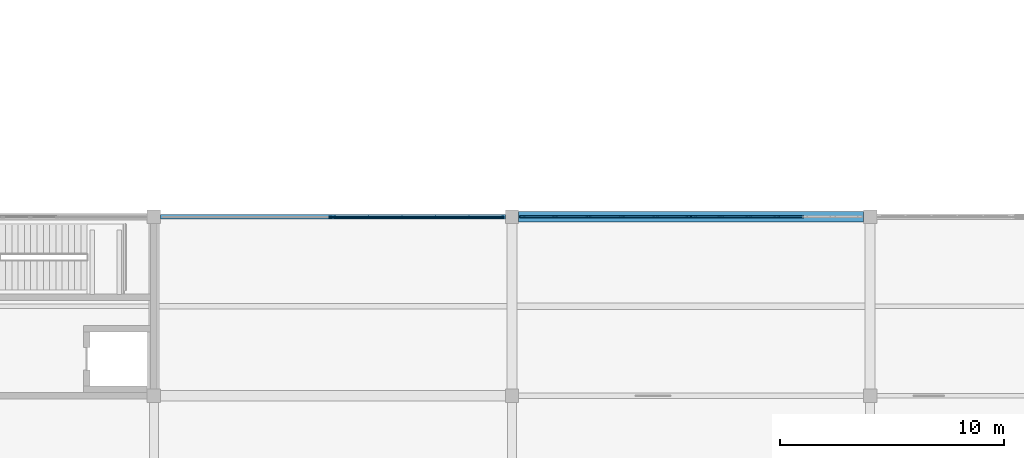
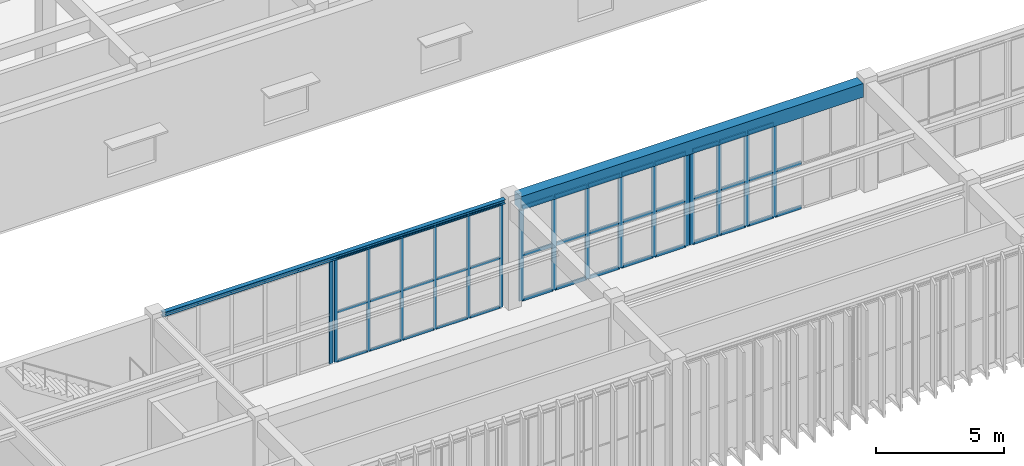
# One storey, part 18 of 64: 58 members, 2 beams, 4 elements without a shape of their own.
"""IFC4 building model written with IfcOpenShell, lengths in metres."""

from ifc_helpers import new_model, si_unit, direction, frame, origin, origin_2d, place, context, subcontext, project, spatial, rectangle, i_section, extrude, material, layer, layer_set, material_profile, profile_set, type_object, element, aggregate, save


model = new_model("IFC4")

# Units and contexts
model_context = context("Model", 3, precision=1e-05, world=origin(), true_north=direction((0.0, 1.0)))
body_context = subcontext(model_context, "Body", "Model", "MODEL_VIEW")
ifc_project = project(units=[si_unit("LENGTHUNIT", "METRE"), si_unit("AREAUNIT", "SQUARE_METRE"), si_unit("VOLUMEUNIT", "CUBIC_METRE"), si_unit("PLANEANGLEUNIT", "RADIAN"), si_unit("MASSUNIT", "GRAM", prefix="KILO")], contexts=[model_context])

# Site, building, storey
site_placement = place(None, origin())
site = spatial("IfcSite", under=ifc_project, at=site_placement, CompositionType="ELEMENT")
building_placement = place(site_placement, origin())
building = spatial("IfcBuilding", under=site, at=building_placement, Name="Cinchona Park Media Centre", CompositionType="ELEMENT")
storey_placement = place(building_placement, frame((0.0, 0.0, 10.199951171875)))
storey = spatial("IfcBuildingStorey", under=building, at=storey_placement, Name="L02", CompositionType="ELEMENT", Elevation=10.199951171875)

# Beams
ifc_material_1 = material(Name="Concrete C40/50", Category="concrete")
ifc_material_profile_1 = material_profile(ifc_material_1, rectangle(XDim=0.47998046875, YDim=0.64990234375, at=origin_2d()), Name="RB 480X650")
ifc_profile_set_1 = profile_set([ifc_material_profile_1], Name="Concrete C40/50")
beam_type_1 = type_object("IfcBeamType", Name="BEAM-B07-RB480X650", PredefinedType="BEAM", material=ifc_profile_set_1)
beam_1_placement = place(storey_placement, frame((111.10009765625, 87.60009765625, 4.8349609375), z_axis=(1.0, 0.0, 0.0), x_axis=(0.0, 1.0, 0.0)))
element("IfcBeam", 1, at=beam_1_placement, inside=storey, type_object=beam_type_1, Name="Beam B07 L02", PredefinedType="BEAM", context=body_context, shape_type="SweptSolid", body=[
    extrude(rectangle(XDim=0.47998046875, YDim=0.64990234375, at=origin_2d()), origin(), (0.0, 0.0, 1.0), 15.39990234375),
])
ifc_material_2 = material(Name="Steel S355", Category="steel")
ifc_material_profile_2 = material_profile(ifc_material_2, i_section(OverallWidth=0.202880859375, OverallDepth=0.202880859375, WebThickness=0.007080078125, FlangeThickness=0.010986328125, at=origin_2d()), Name="W200X46")
ifc_profile_set_2 = profile_set([ifc_material_profile_2], Name="Steel S355")
beam_type_2 = type_object("IfcBeamType", Name="BEAM-B10-W200X46", PredefinedType="BEAM", material=ifc_profile_set_2)
beam_2_placement = place(storey_placement, frame((95.10009765625, 87.60009765625, 5.05859375), z_axis=(1.0, 0.0, 0.0), x_axis=(0.0, 1.0, 0.0)))
element("IfcBeam", 2, at=beam_2_placement, inside=storey, type_object=beam_type_2, Name="Beam B10 L02", PredefinedType="BEAM", context=body_context, shape_type="SweptSolid", body=[
    extrude(i_section(OverallWidth=0.202880859375, OverallDepth=0.202880859375, WebThickness=0.007080078125, FlangeThickness=0.010986328125, at=origin_2d()), origin(), (0.0, 0.0, 1.0), 15.39990234375),
])

# Curtain wall, member
ifc_material_3 = material(Name="Aluminium Curtain Wall Framing", Category="aluminium")
ifc_layer_1 = layer(ifc_material_3, 0.27001953125)
ifc_layer_set_1 = layer_set([ifc_layer_1], Name="Aluminium Curtain Wall Framing")
curtain_wall_type_1 = type_object("IfcCurtainWallType", Name="CW-CW07", PredefinedType="USERDEFINED", material=ifc_layer_set_1)
curtain_wall_1_placement = place(storey_placement, origin())
curtain_wall_1 = element("IfcCurtainWall", 3, at=curtain_wall_1_placement, inside=storey, type_object=curtain_wall_type_1, Name="Curtain Wall CW07 L02", ObjectType="UNITISED CURTAIN WALL", PredefinedType="USERDEFINED")
ifc_material_4 = material(Name="Anodised Aluminium Alloy 6063-T6", Category="aluminium")
ifc_material_profile_3 = material_profile(ifc_material_4, rectangle(XDim=0.06494140625, YDim=0.159912109375, at=origin_2d()), Name="MUL-65X160")
ifc_profile_set_3 = profile_set([ifc_material_profile_3], Name="Anodised Aluminium Alloy 6063-T6")
member_type_1 = type_object("IfcMemberType", Name="MULLION-MUL01", PredefinedType="MULLION", material=ifc_profile_set_3)
member_1_placement = place(storey_placement, frame((102.6875, 87.60009765625, 0.050048828125), z_axis=(0.0, 0.0, 1.0), x_axis=(0.0, 1.0, 0.0)))
member_1 = element("IfcMember", 4, at=member_1_placement, type_object=member_type_1, Name="CW07 mullion 6", PredefinedType="MULLION", context=body_context, shape_type="SweptSolid", body=[
    extrude(rectangle(XDim=0.06494140625, YDim=0.159912109375, at=origin_2d()), origin(), (0.0, 0.0, 1.0), 4.906982421875),
])
aggregate(curtain_wall_1, [member_1])

# Curtain wall, members
ifc_material_5 = material(Name="Aluminium Curtain Wall Framing", Category="aluminium")
ifc_layer_2 = layer(ifc_material_5, 0.284912109375)
ifc_layer_set_2 = layer_set([ifc_layer_2], Name="Aluminium Curtain Wall Framing")
curtain_wall_type_2 = type_object("IfcCurtainWallType", Name="CW-CW08", PredefinedType="USERDEFINED", material=ifc_layer_set_2)
curtain_wall_2_placement = place(storey_placement, origin())
curtain_wall_2 = element("IfcCurtainWall", 5, at=curtain_wall_2_placement, inside=storey, type_object=curtain_wall_type_2, Name="Curtain Wall CW08 L02", ObjectType="UNITISED CURTAIN WALL", PredefinedType="USERDEFINED")
member_2_placement = place(storey_placement, frame((102.91259765625, 87.60009765625, 0.050048828125), z_axis=(0.0, 0.0, 1.0), x_axis=(0.0, 1.0, 0.0)))
member_2 = element("IfcMember", 6, at=member_2_placement, type_object=member_type_1, Name="CW08 mullion 1", PredefinedType="MULLION", context=body_context, shape_type="SweptSolid", body=[
    extrude(rectangle(XDim=0.06494140625, YDim=0.159912109375, at=origin_2d()), origin(), (0.0, 0.0, 1.0), 4.906982421875),
])
member_3_placement = place(storey_placement, frame((104.3798828125, 87.60009765625, 0.050048828125), z_axis=(0.0, 0.0, 1.0), x_axis=(0.0, 1.0, 0.0)))
member_3 = element("IfcMember", 7, at=member_3_placement, type_object=member_type_1, Name="CW08 mullion 2", PredefinedType="MULLION", context=body_context, shape_type="SweptSolid", body=[
    extrude(rectangle(XDim=0.06494140625, YDim=0.159912109375, at=origin_2d()), origin(), (0.0, 0.0, 1.0), 4.906982421875),
])
member_4_placement = place(storey_placement, frame((105.8798828125, 87.60009765625, 0.050048828125), z_axis=(0.0, 0.0, 1.0), x_axis=(0.0, 1.0, 0.0)))
member_4 = element("IfcMember", 8, at=member_4_placement, type_object=member_type_1, Name="CW08 mullion 3", PredefinedType="MULLION", context=body_context, shape_type="SweptSolid", body=[
    extrude(rectangle(XDim=0.06494140625, YDim=0.159912109375, at=origin_2d()), origin(), (0.0, 0.0, 1.0), 4.906982421875),
])
member_5_placement = place(storey_placement, frame((107.3798828125, 87.60009765625, 0.050048828125), z_axis=(0.0, 0.0, 1.0), x_axis=(0.0, 1.0, 0.0)))
member_5 = element("IfcMember", 9, at=member_5_placement, type_object=member_type_1, Name="CW08 mullion 4", PredefinedType="MULLION", context=body_context, shape_type="SweptSolid", body=[
    extrude(rectangle(XDim=0.06494140625, YDim=0.159912109375, at=origin_2d()), origin(), (0.0, 0.0, 1.0), 4.906982421875),
])
member_6_placement = place(storey_placement, frame((108.8798828125, 87.60009765625, 0.050048828125), z_axis=(0.0, 0.0, 1.0), x_axis=(0.0, 1.0, 0.0)))
member_6 = element("IfcMember", 10, at=member_6_placement, type_object=member_type_1, Name="CW08 mullion 5", PredefinedType="MULLION", context=body_context, shape_type="SweptSolid", body=[
    extrude(rectangle(XDim=0.06494140625, YDim=0.159912109375, at=origin_2d()), origin(), (0.0, 0.0, 1.0), 4.906982421875),
])
member_7_placement = place(storey_placement, frame((110.347412109375, 87.60009765625, 0.050048828125), z_axis=(0.0, 0.0, 1.0), x_axis=(0.0, 1.0, 0.0)))
member_7 = element("IfcMember", 11, at=member_7_placement, type_object=member_type_1, Name="CW08 mullion 6", PredefinedType="MULLION", context=body_context, shape_type="SweptSolid", body=[
    extrude(rectangle(XDim=0.06494140625, YDim=0.159912109375, at=origin_2d()), origin(), (0.0, 0.0, 1.0), 4.906982421875),
])

ifc_material_6 = material(Name="Aluminium Curtain Wall Framing", Category="aluminium")
ifc_layer_3 = layer(ifc_material_6, 0.300048828125)
ifc_layer_set_3 = layer_set([ifc_layer_3], Name="Aluminium Curtain Wall Framing")
curtain_wall_type_3 = type_object("IfcCurtainWallType", Name="CW-CW09", PredefinedType="USERDEFINED", material=ifc_layer_set_3)
curtain_wall_3_placement = place(storey_placement, origin())
curtain_wall_3 = element("IfcCurtainWall", 12, at=curtain_wall_3_placement, inside=storey, type_object=curtain_wall_type_3, Name="Curtain Wall CW09 L02", ObjectType="UNITISED CURTAIN WALL", PredefinedType="USERDEFINED")
ifc_material_7 = material(Name="Anodised Aluminium Alloy 6063-T6", Category="aluminium")
ifc_material_profile_4 = material_profile(ifc_material_7, rectangle(XDim=0.074951171875, YDim=0.2099609375, at=origin_2d()), Name="MUL-75X210")
ifc_profile_set_4 = profile_set([ifc_material_profile_4], Name="Anodised Aluminium Alloy 6063-T6")
member_type_2 = type_object("IfcMemberType", Name="MULLION-MUL03", PredefinedType="MULLION", material=ifc_profile_set_4)
member_8_placement = place(storey_placement, frame((111.257568359375, 87.60009765625, 0.050048828125), z_axis=(0.0, 0.0, 1.0), x_axis=(0.0, 1.0, 0.0)))
member_8 = element("IfcMember", 13, at=member_8_placement, type_object=member_type_2, Name="CW09 mullion 1", PredefinedType="MULLION", context=body_context, shape_type="SweptSolid", body=[
    extrude(rectangle(XDim=0.074951171875, YDim=0.2099609375, at=origin_2d()), origin(), (0.0, 0.0, 1.0), 4.4599609375),
])
member_9_placement = place(storey_placement, frame((112.719970703125, 87.60009765625, 0.050048828125), z_axis=(0.0, 0.0, 1.0), x_axis=(0.0, 1.0, 0.0)))
member_9 = element("IfcMember", 14, at=member_9_placement, type_object=member_type_2, Name="CW09 mullion 2", PredefinedType="MULLION", context=body_context, shape_type="SweptSolid", body=[
    extrude(rectangle(XDim=0.074951171875, YDim=0.2099609375, at=origin_2d()), origin(), (0.0, 0.0, 1.0), 4.4599609375),
])
member_10_placement = place(storey_placement, frame((114.219970703125, 87.60009765625, 0.050048828125), z_axis=(0.0, 0.0, 1.0), x_axis=(0.0, 1.0, 0.0)))
member_10 = element("IfcMember", 15, at=member_10_placement, type_object=member_type_2, Name="CW09 mullion 3", PredefinedType="MULLION", context=body_context, shape_type="SweptSolid", body=[
    extrude(rectangle(XDim=0.074951171875, YDim=0.2099609375, at=origin_2d()), origin(), (0.0, 0.0, 1.0), 4.4599609375),
])
member_11_placement = place(storey_placement, frame((115.719970703125, 87.60009765625, 0.050048828125), z_axis=(0.0, 0.0, 1.0), x_axis=(0.0, 1.0, 0.0)))
member_11 = element("IfcMember", 16, at=member_11_placement, type_object=member_type_2, Name="CW09 mullion 4", PredefinedType="MULLION", context=body_context, shape_type="SweptSolid", body=[
    extrude(rectangle(XDim=0.074951171875, YDim=0.2099609375, at=origin_2d()), origin(), (0.0, 0.0, 1.0), 4.4599609375),
])
member_12_placement = place(storey_placement, frame((117.219970703125, 87.60009765625, 0.050048828125), z_axis=(0.0, 0.0, 1.0), x_axis=(0.0, 1.0, 0.0)))
member_12 = element("IfcMember", 17, at=member_12_placement, type_object=member_type_2, Name="CW09 mullion 5", PredefinedType="MULLION", context=body_context, shape_type="SweptSolid", body=[
    extrude(rectangle(XDim=0.074951171875, YDim=0.2099609375, at=origin_2d()), origin(), (0.0, 0.0, 1.0), 4.4599609375),
])
member_13_placement = place(storey_placement, frame((118.6826171875, 87.60009765625, 0.050048828125), z_axis=(0.0, 0.0, 1.0), x_axis=(0.0, 1.0, 0.0)))
member_13 = element("IfcMember", 18, at=member_13_placement, type_object=member_type_2, Name="CW09 mullion 6", PredefinedType="MULLION", context=body_context, shape_type="SweptSolid", body=[
    extrude(rectangle(XDim=0.074951171875, YDim=0.2099609375, at=origin_2d()), origin(), (0.0, 0.0, 1.0), 4.4599609375),
])

ifc_material_8 = material(Name="Aluminium Curtain Wall Framing", Category="aluminium")
ifc_layer_4 = layer(ifc_material_8, 0.179931640625)
ifc_layer_set_4 = layer_set([ifc_layer_4], Name="Aluminium Curtain Wall Framing")
curtain_wall_type_4 = type_object("IfcCurtainWallType", Name="CW-CW01", PredefinedType="USERDEFINED", material=ifc_layer_set_4)
curtain_wall_4_placement = place(storey_placement, origin())
curtain_wall_4 = element("IfcCurtainWall", 19, at=curtain_wall_4_placement, inside=storey, type_object=curtain_wall_type_4, Name="Curtain Wall CW01 L02", ObjectType="UNITISED CURTAIN WALL", PredefinedType="USERDEFINED")
member_14_placement = place(storey_placement, frame((118.91748046875, 87.60009765625, 0.050048828125), z_axis=(0.0, 0.0, 1.0), x_axis=(0.0, 1.0, 0.0)))
member_14 = element("IfcMember", 20, at=member_14_placement, type_object=member_type_2, Name="CW01 mullion 1", PredefinedType="MULLION", context=body_context, shape_type="SweptSolid", body=[
    extrude(rectangle(XDim=0.074951171875, YDim=0.2099609375, at=origin_2d()), origin(), (0.0, 0.0, 1.0), 4.4599609375),
])
member_15_placement = place(storey_placement, frame((120.1298828125, 87.60009765625, 0.050048828125), z_axis=(0.0, 0.0, 1.0), x_axis=(0.0, 1.0, 0.0)))
member_15 = element("IfcMember", 21, at=member_15_placement, type_object=member_type_2, Name="CW01 mullion 2", PredefinedType="MULLION", context=body_context, shape_type="SweptSolid", body=[
    extrude(rectangle(XDim=0.074951171875, YDim=0.2099609375, at=origin_2d()), origin(), (0.0, 0.0, 1.0), 4.4599609375),
])
member_16_placement = place(storey_placement, frame((121.3798828125, 87.60009765625, 0.050048828125), z_axis=(0.0, 0.0, 1.0), x_axis=(0.0, 1.0, 0.0)))
member_16 = element("IfcMember", 22, at=member_16_placement, type_object=member_type_2, Name="CW01 mullion 3", PredefinedType="MULLION", context=body_context, shape_type="SweptSolid", body=[
    extrude(rectangle(XDim=0.074951171875, YDim=0.2099609375, at=origin_2d()), origin(), (0.0, 0.0, 1.0), 4.4599609375),
])
member_17_placement = place(storey_placement, frame((122.6298828125, 87.60009765625, 0.050048828125), z_axis=(0.0, 0.0, 1.0), x_axis=(0.0, 1.0, 0.0)))
member_17 = element("IfcMember", 23, at=member_17_placement, type_object=member_type_2, Name="CW01 mullion 4", PredefinedType="MULLION", context=body_context, shape_type="SweptSolid", body=[
    extrude(rectangle(XDim=0.074951171875, YDim=0.2099609375, at=origin_2d()), origin(), (0.0, 0.0, 1.0), 4.4599609375),
])

# Member
ifc_material_9 = material(Name="Anodised Aluminium Alloy 6063-T6", Category="aluminium")
ifc_material_profile_5 = material_profile(ifc_material_9, rectangle(XDim=0.06494140625, YDim=0.1201171875, at=origin_2d()), Name="TRN-65X120")
ifc_profile_set_5 = profile_set([ifc_material_profile_5], Name="Anodised Aluminium Alloy 6063-T6")
member_type_3 = type_object("IfcMemberType", Name="TRANSOM-TRN01", PredefinedType="USERDEFINED", material=ifc_profile_set_5)
member_18_placement = place(storey_placement, frame((102.945068359375, 87.60009765625, 0.08251953125), z_axis=(1.0, 0.0, 0.0), x_axis=(0.0, 1.0, 0.0)))
member_18 = element("IfcMember", 24, at=member_18_placement, type_object=member_type_3, Name="CW08 transom 1.1", ObjectType="TRANSOM", PredefinedType="USERDEFINED", context=body_context, shape_type="SweptSolid", body=[
    extrude(rectangle(XDim=0.06494140625, YDim=0.1201171875, at=origin_2d()), origin(), (0.0, 0.0, 1.0), 1.40234375),
])

member_19_placement = place(storey_placement, frame((102.945068359375, 87.60009765625, 2.405029296875), z_axis=(1.0, 0.0, 0.0), x_axis=(0.0, 1.0, 0.0)))
member_19 = element("IfcMember", 25, at=member_19_placement, type_object=member_type_3, Name="CW08 transom 1.2", ObjectType="TRANSOM", PredefinedType="USERDEFINED", context=body_context, shape_type="SweptSolid", body=[
    extrude(rectangle(XDim=0.06494140625, YDim=0.1201171875, at=origin_2d()), origin(), (0.0, 0.0, 1.0), 1.40234375),
])

member_20_placement = place(storey_placement, frame((102.945068359375, 87.60009765625, 4.924560546875), z_axis=(1.0, 0.0, 0.0), x_axis=(0.0, 1.0, 0.0)))
member_20 = element("IfcMember", 26, at=member_20_placement, type_object=member_type_3, Name="CW08 transom 1.3", ObjectType="TRANSOM", PredefinedType="USERDEFINED", context=body_context, shape_type="SweptSolid", body=[
    extrude(rectangle(XDim=0.06494140625, YDim=0.1201171875, at=origin_2d()), origin(), (0.0, 0.0, 1.0), 1.40234375),
])

member_21_placement = place(storey_placement, frame((104.41259765625, 87.60009765625, 0.08251953125), z_axis=(1.0, 0.0, 0.0), x_axis=(0.0, 1.0, 0.0)))
member_21 = element("IfcMember", 27, at=member_21_placement, type_object=member_type_3, Name="CW08 transom 2.1", ObjectType="TRANSOM", PredefinedType="USERDEFINED", context=body_context, shape_type="SweptSolid", body=[
    extrude(rectangle(XDim=0.06494140625, YDim=0.1201171875, at=origin_2d()), origin(), (0.0, 0.0, 1.0), 1.434814453125),
])

member_22_placement = place(storey_placement, frame((104.41259765625, 87.60009765625, 2.405029296875), z_axis=(1.0, 0.0, 0.0), x_axis=(0.0, 1.0, 0.0)))
member_22 = element("IfcMember", 28, at=member_22_placement, type_object=member_type_3, Name="CW08 transom 2.2", ObjectType="TRANSOM", PredefinedType="USERDEFINED", context=body_context, shape_type="SweptSolid", body=[
    extrude(rectangle(XDim=0.06494140625, YDim=0.1201171875, at=origin_2d()), origin(), (0.0, 0.0, 1.0), 1.434814453125),
])

member_23_placement = place(storey_placement, frame((104.41259765625, 87.60009765625, 4.924560546875), z_axis=(1.0, 0.0, 0.0), x_axis=(0.0, 1.0, 0.0)))
member_23 = element("IfcMember", 29, at=member_23_placement, type_object=member_type_3, Name="CW08 transom 2.3", ObjectType="TRANSOM", PredefinedType="USERDEFINED", context=body_context, shape_type="SweptSolid", body=[
    extrude(rectangle(XDim=0.06494140625, YDim=0.1201171875, at=origin_2d()), origin(), (0.0, 0.0, 1.0), 1.434814453125),
])

member_24_placement = place(storey_placement, frame((105.91259765625, 87.60009765625, 0.08251953125), z_axis=(1.0, 0.0, 0.0), x_axis=(0.0, 1.0, 0.0)))
member_24 = element("IfcMember", 30, at=member_24_placement, type_object=member_type_3, Name="CW08 transom 3.1", ObjectType="TRANSOM", PredefinedType="USERDEFINED", context=body_context, shape_type="SweptSolid", body=[
    extrude(rectangle(XDim=0.06494140625, YDim=0.1201171875, at=origin_2d()), origin(), (0.0, 0.0, 1.0), 1.434814453125),
])

member_25_placement = place(storey_placement, frame((105.91259765625, 87.60009765625, 2.405029296875), z_axis=(1.0, 0.0, 0.0), x_axis=(0.0, 1.0, 0.0)))
member_25 = element("IfcMember", 31, at=member_25_placement, type_object=member_type_3, Name="CW08 transom 3.2", ObjectType="TRANSOM", PredefinedType="USERDEFINED", context=body_context, shape_type="SweptSolid", body=[
    extrude(rectangle(XDim=0.06494140625, YDim=0.1201171875, at=origin_2d()), origin(), (0.0, 0.0, 1.0), 1.434814453125),
])

member_26_placement = place(storey_placement, frame((105.91259765625, 87.60009765625, 4.924560546875), z_axis=(1.0, 0.0, 0.0), x_axis=(0.0, 1.0, 0.0)))
member_26 = element("IfcMember", 32, at=member_26_placement, type_object=member_type_3, Name="CW08 transom 3.3", ObjectType="TRANSOM", PredefinedType="USERDEFINED", context=body_context, shape_type="SweptSolid", body=[
    extrude(rectangle(XDim=0.06494140625, YDim=0.1201171875, at=origin_2d()), origin(), (0.0, 0.0, 1.0), 1.434814453125),
])

member_27_placement = place(storey_placement, frame((107.41259765625, 87.60009765625, 0.08251953125), z_axis=(1.0, 0.0, 0.0), x_axis=(0.0, 1.0, 0.0)))
member_27 = element("IfcMember", 33, at=member_27_placement, type_object=member_type_3, Name="CW08 transom 4.1", ObjectType="TRANSOM", PredefinedType="USERDEFINED", context=body_context, shape_type="SweptSolid", body=[
    extrude(rectangle(XDim=0.06494140625, YDim=0.1201171875, at=origin_2d()), origin(), (0.0, 0.0, 1.0), 1.434814453125),
])

member_28_placement = place(storey_placement, frame((107.41259765625, 87.60009765625, 2.405029296875), z_axis=(1.0, 0.0, 0.0), x_axis=(0.0, 1.0, 0.0)))
member_28 = element("IfcMember", 34, at=member_28_placement, type_object=member_type_3, Name="CW08 transom 4.2", ObjectType="TRANSOM", PredefinedType="USERDEFINED", context=body_context, shape_type="SweptSolid", body=[
    extrude(rectangle(XDim=0.06494140625, YDim=0.1201171875, at=origin_2d()), origin(), (0.0, 0.0, 1.0), 1.434814453125),
])

member_29_placement = place(storey_placement, frame((107.41259765625, 87.60009765625, 4.924560546875), z_axis=(1.0, 0.0, 0.0), x_axis=(0.0, 1.0, 0.0)))
member_29 = element("IfcMember", 35, at=member_29_placement, type_object=member_type_3, Name="CW08 transom 4.3", ObjectType="TRANSOM", PredefinedType="USERDEFINED", context=body_context, shape_type="SweptSolid", body=[
    extrude(rectangle(XDim=0.06494140625, YDim=0.1201171875, at=origin_2d()), origin(), (0.0, 0.0, 1.0), 1.434814453125),
])

member_30_placement = place(storey_placement, frame((108.91259765625, 87.60009765625, 0.08251953125), z_axis=(1.0, 0.0, 0.0), x_axis=(0.0, 1.0, 0.0)))
member_30 = element("IfcMember", 36, at=member_30_placement, type_object=member_type_3, Name="CW08 transom 5.1", ObjectType="TRANSOM", PredefinedType="USERDEFINED", context=body_context, shape_type="SweptSolid", body=[
    extrude(rectangle(XDim=0.06494140625, YDim=0.1201171875, at=origin_2d()), origin(), (0.0, 0.0, 1.0), 1.40234375),
])

member_31_placement = place(storey_placement, frame((108.91259765625, 87.60009765625, 2.405029296875), z_axis=(1.0, 0.0, 0.0), x_axis=(0.0, 1.0, 0.0)))
member_31 = element("IfcMember", 37, at=member_31_placement, type_object=member_type_3, Name="CW08 transom 5.2", ObjectType="TRANSOM", PredefinedType="USERDEFINED", context=body_context, shape_type="SweptSolid", body=[
    extrude(rectangle(XDim=0.06494140625, YDim=0.1201171875, at=origin_2d()), origin(), (0.0, 0.0, 1.0), 1.40234375),
])

member_32_placement = place(storey_placement, frame((108.91259765625, 87.60009765625, 4.924560546875), z_axis=(1.0, 0.0, 0.0), x_axis=(0.0, 1.0, 0.0)))
member_32 = element("IfcMember", 38, at=member_32_placement, type_object=member_type_3, Name="CW08 transom 5.3", ObjectType="TRANSOM", PredefinedType="USERDEFINED", context=body_context, shape_type="SweptSolid", body=[
    extrude(rectangle(XDim=0.06494140625, YDim=0.1201171875, at=origin_2d()), origin(), (0.0, 0.0, 1.0), 1.40234375),
])

aggregate(curtain_wall_2, [member_2, member_3, member_4, member_5, member_6, member_7, member_18, member_19, member_20, member_21, member_22, member_23, member_24, member_25, member_26, member_27, member_28, member_29, member_30, member_31, member_32])

ifc_material_10 = material(Name="Anodised Aluminium Alloy 6063-T6", Category="aluminium")
ifc_material_profile_6 = material_profile(ifc_material_10, rectangle(XDim=0.074951171875, YDim=0.159912109375, at=origin_2d()), Name="TRN-75X160")
ifc_profile_set_6 = profile_set([ifc_material_profile_6], Name="Anodised Aluminium Alloy 6063-T6")
member_type_4 = type_object("IfcMemberType", Name="TRANSOM-TRN03", PredefinedType="USERDEFINED", material=ifc_profile_set_6)
member_33_placement = place(storey_placement, frame((111.294921875, 87.60009765625, 0.087646484375), z_axis=(1.0, 0.0, 0.0), x_axis=(0.0, 1.0, 0.0)))
member_33 = element("IfcMember", 39, at=member_33_placement, type_object=member_type_4, Name="CW09 transom 1.1", ObjectType="TRANSOM", PredefinedType="USERDEFINED", context=body_context, shape_type="SweptSolid", body=[
    extrude(rectangle(XDim=0.074951171875, YDim=0.159912109375, at=origin_2d()), origin(), (0.0, 0.0, 1.0), 1.3876953125),
])

member_34_placement = place(storey_placement, frame((111.294921875, 87.60009765625, 2.191162109375), z_axis=(1.0, 0.0, 0.0), x_axis=(0.0, 1.0, 0.0)))
member_34 = element("IfcMember", 40, at=member_34_placement, type_object=member_type_4, Name="CW09 transom 1.2", ObjectType="TRANSOM", PredefinedType="USERDEFINED", context=body_context, shape_type="SweptSolid", body=[
    extrude(rectangle(XDim=0.074951171875, YDim=0.159912109375, at=origin_2d()), origin(), (0.0, 0.0, 1.0), 1.3876953125),
])

member_35_placement = place(storey_placement, frame((111.294921875, 87.60009765625, 4.47265625), z_axis=(1.0, 0.0, 0.0), x_axis=(0.0, 1.0, 0.0)))
member_35 = element("IfcMember", 41, at=member_35_placement, type_object=member_type_4, Name="CW09 transom 1.3", ObjectType="TRANSOM", PredefinedType="USERDEFINED", context=body_context, shape_type="SweptSolid", body=[
    extrude(rectangle(XDim=0.074951171875, YDim=0.159912109375, at=origin_2d()), origin(), (0.0, 0.0, 1.0), 1.3876953125),
])

member_36_placement = place(storey_placement, frame((112.757568359375, 87.60009765625, 0.087646484375), z_axis=(1.0, 0.0, 0.0), x_axis=(0.0, 1.0, 0.0)))
member_36 = element("IfcMember", 42, at=member_36_placement, type_object=member_type_4, Name="CW09 transom 2.1", ObjectType="TRANSOM", PredefinedType="USERDEFINED", context=body_context, shape_type="SweptSolid", body=[
    extrude(rectangle(XDim=0.074951171875, YDim=0.159912109375, at=origin_2d()), origin(), (0.0, 0.0, 1.0), 1.425048828125),
])

member_37_placement = place(storey_placement, frame((112.757568359375, 87.60009765625, 2.191162109375), z_axis=(1.0, 0.0, 0.0), x_axis=(0.0, 1.0, 0.0)))
member_37 = element("IfcMember", 43, at=member_37_placement, type_object=member_type_4, Name="CW09 transom 2.2", ObjectType="TRANSOM", PredefinedType="USERDEFINED", context=body_context, shape_type="SweptSolid", body=[
    extrude(rectangle(XDim=0.074951171875, YDim=0.159912109375, at=origin_2d()), origin(), (0.0, 0.0, 1.0), 1.425048828125),
])

member_38_placement = place(storey_placement, frame((112.757568359375, 87.60009765625, 4.47265625), z_axis=(1.0, 0.0, 0.0), x_axis=(0.0, 1.0, 0.0)))
member_38 = element("IfcMember", 44, at=member_38_placement, type_object=member_type_4, Name="CW09 transom 2.3", ObjectType="TRANSOM", PredefinedType="USERDEFINED", context=body_context, shape_type="SweptSolid", body=[
    extrude(rectangle(XDim=0.074951171875, YDim=0.159912109375, at=origin_2d()), origin(), (0.0, 0.0, 1.0), 1.425048828125),
])

member_39_placement = place(storey_placement, frame((114.257568359375, 87.60009765625, 0.087646484375), z_axis=(1.0, 0.0, 0.0), x_axis=(0.0, 1.0, 0.0)))
member_39 = element("IfcMember", 45, at=member_39_placement, type_object=member_type_4, Name="CW09 transom 3.1", ObjectType="TRANSOM", PredefinedType="USERDEFINED", context=body_context, shape_type="SweptSolid", body=[
    extrude(rectangle(XDim=0.074951171875, YDim=0.159912109375, at=origin_2d()), origin(), (0.0, 0.0, 1.0), 1.425048828125),
])

member_40_placement = place(storey_placement, frame((114.257568359375, 87.60009765625, 2.191162109375), z_axis=(1.0, 0.0, 0.0), x_axis=(0.0, 1.0, 0.0)))
member_40 = element("IfcMember", 46, at=member_40_placement, type_object=member_type_4, Name="CW09 transom 3.2", ObjectType="TRANSOM", PredefinedType="USERDEFINED", context=body_context, shape_type="SweptSolid", body=[
    extrude(rectangle(XDim=0.074951171875, YDim=0.159912109375, at=origin_2d()), origin(), (0.0, 0.0, 1.0), 1.425048828125),
])

member_41_placement = place(storey_placement, frame((114.257568359375, 87.60009765625, 4.47265625), z_axis=(1.0, 0.0, 0.0), x_axis=(0.0, 1.0, 0.0)))
member_41 = element("IfcMember", 47, at=member_41_placement, type_object=member_type_4, Name="CW09 transom 3.3", ObjectType="TRANSOM", PredefinedType="USERDEFINED", context=body_context, shape_type="SweptSolid", body=[
    extrude(rectangle(XDim=0.074951171875, YDim=0.159912109375, at=origin_2d()), origin(), (0.0, 0.0, 1.0), 1.425048828125),
])

member_42_placement = place(storey_placement, frame((115.757568359375, 87.60009765625, 0.087646484375), z_axis=(1.0, 0.0, 0.0), x_axis=(0.0, 1.0, 0.0)))
member_42 = element("IfcMember", 48, at=member_42_placement, type_object=member_type_4, Name="CW09 transom 4.1", ObjectType="TRANSOM", PredefinedType="USERDEFINED", context=body_context, shape_type="SweptSolid", body=[
    extrude(rectangle(XDim=0.074951171875, YDim=0.159912109375, at=origin_2d()), origin(), (0.0, 0.0, 1.0), 1.425048828125),
])

member_43_placement = place(storey_placement, frame((115.757568359375, 87.60009765625, 2.191162109375), z_axis=(1.0, 0.0, 0.0), x_axis=(0.0, 1.0, 0.0)))
member_43 = element("IfcMember", 49, at=member_43_placement, type_object=member_type_4, Name="CW09 transom 4.2", ObjectType="TRANSOM", PredefinedType="USERDEFINED", context=body_context, shape_type="SweptSolid", body=[
    extrude(rectangle(XDim=0.074951171875, YDim=0.159912109375, at=origin_2d()), origin(), (0.0, 0.0, 1.0), 1.425048828125),
])

member_44_placement = place(storey_placement, frame((115.757568359375, 87.60009765625, 4.47265625), z_axis=(1.0, 0.0, 0.0), x_axis=(0.0, 1.0, 0.0)))
member_44 = element("IfcMember", 50, at=member_44_placement, type_object=member_type_4, Name="CW09 transom 4.3", ObjectType="TRANSOM", PredefinedType="USERDEFINED", context=body_context, shape_type="SweptSolid", body=[
    extrude(rectangle(XDim=0.074951171875, YDim=0.159912109375, at=origin_2d()), origin(), (0.0, 0.0, 1.0), 1.425048828125),
])

member_45_placement = place(storey_placement, frame((117.257568359375, 87.60009765625, 0.087646484375), z_axis=(1.0, 0.0, 0.0), x_axis=(0.0, 1.0, 0.0)))
member_45 = element("IfcMember", 51, at=member_45_placement, type_object=member_type_4, Name="CW09 transom 5.1", ObjectType="TRANSOM", PredefinedType="USERDEFINED", context=body_context, shape_type="SweptSolid", body=[
    extrude(rectangle(XDim=0.074951171875, YDim=0.159912109375, at=origin_2d()), origin(), (0.0, 0.0, 1.0), 1.387451171875),
])

member_46_placement = place(storey_placement, frame((117.257568359375, 87.60009765625, 2.191162109375), z_axis=(1.0, 0.0, 0.0), x_axis=(0.0, 1.0, 0.0)))
member_46 = element("IfcMember", 52, at=member_46_placement, type_object=member_type_4, Name="CW09 transom 5.2", ObjectType="TRANSOM", PredefinedType="USERDEFINED", context=body_context, shape_type="SweptSolid", body=[
    extrude(rectangle(XDim=0.074951171875, YDim=0.159912109375, at=origin_2d()), origin(), (0.0, 0.0, 1.0), 1.387451171875),
])

member_47_placement = place(storey_placement, frame((117.257568359375, 87.60009765625, 4.47265625), z_axis=(1.0, 0.0, 0.0), x_axis=(0.0, 1.0, 0.0)))
member_47 = element("IfcMember", 53, at=member_47_placement, type_object=member_type_4, Name="CW09 transom 5.3", ObjectType="TRANSOM", PredefinedType="USERDEFINED", context=body_context, shape_type="SweptSolid", body=[
    extrude(rectangle(XDim=0.074951171875, YDim=0.159912109375, at=origin_2d()), origin(), (0.0, 0.0, 1.0), 1.387451171875),
])

aggregate(curtain_wall_3, [member_8, member_9, member_10, member_11, member_12, member_13, member_33, member_34, member_35, member_36, member_37, member_38, member_39, member_40, member_41, member_42, member_43, member_44, member_45, member_46, member_47])

member_48_placement = place(storey_placement, frame((118.955078125, 87.60009765625, 0.087646484375), z_axis=(1.0, 0.0, 0.0), x_axis=(0.0, 1.0, 0.0)))
member_48 = element("IfcMember", 54, at=member_48_placement, type_object=member_type_4, Name="CW01 transom 1.1", ObjectType="TRANSOM", PredefinedType="USERDEFINED", context=body_context, shape_type="SweptSolid", body=[
    extrude(rectangle(XDim=0.074951171875, YDim=0.159912109375, at=origin_2d()), origin(), (0.0, 0.0, 1.0), 1.137451171875),
])

member_49_placement = place(storey_placement, frame((118.955078125, 87.60009765625, 2.191162109375), z_axis=(1.0, 0.0, 0.0), x_axis=(0.0, 1.0, 0.0)))
member_49 = element("IfcMember", 55, at=member_49_placement, type_object=member_type_4, Name="CW01 transom 1.2", ObjectType="TRANSOM", PredefinedType="USERDEFINED", context=body_context, shape_type="SweptSolid", body=[
    extrude(rectangle(XDim=0.074951171875, YDim=0.159912109375, at=origin_2d()), origin(), (0.0, 0.0, 1.0), 1.137451171875),
])

member_50_placement = place(storey_placement, frame((118.955078125, 87.60009765625, 4.47265625), z_axis=(1.0, 0.0, 0.0), x_axis=(0.0, 1.0, 0.0)))
member_50 = element("IfcMember", 56, at=member_50_placement, type_object=member_type_4, Name="CW01 transom 1.3", ObjectType="TRANSOM", PredefinedType="USERDEFINED", context=body_context, shape_type="SweptSolid", body=[
    extrude(rectangle(XDim=0.074951171875, YDim=0.159912109375, at=origin_2d()), origin(), (0.0, 0.0, 1.0), 1.137451171875),
])

member_51_placement = place(storey_placement, frame((120.16748046875, 87.60009765625, 0.087646484375), z_axis=(1.0, 0.0, 0.0), x_axis=(0.0, 1.0, 0.0)))
member_51 = element("IfcMember", 57, at=member_51_placement, type_object=member_type_4, Name="CW01 transom 2.1", ObjectType="TRANSOM", PredefinedType="USERDEFINED", context=body_context, shape_type="SweptSolid", body=[
    extrude(rectangle(XDim=0.074951171875, YDim=0.159912109375, at=origin_2d()), origin(), (0.0, 0.0, 1.0), 1.175048828125),
])

member_52_placement = place(storey_placement, frame((120.16748046875, 87.60009765625, 2.191162109375), z_axis=(1.0, 0.0, 0.0), x_axis=(0.0, 1.0, 0.0)))
member_52 = element("IfcMember", 58, at=member_52_placement, type_object=member_type_4, Name="CW01 transom 2.2", ObjectType="TRANSOM", PredefinedType="USERDEFINED", context=body_context, shape_type="SweptSolid", body=[
    extrude(rectangle(XDim=0.074951171875, YDim=0.159912109375, at=origin_2d()), origin(), (0.0, 0.0, 1.0), 1.175048828125),
])

member_53_placement = place(storey_placement, frame((120.16748046875, 87.60009765625, 4.47265625), z_axis=(1.0, 0.0, 0.0), x_axis=(0.0, 1.0, 0.0)))
member_53 = element("IfcMember", 59, at=member_53_placement, type_object=member_type_4, Name="CW01 transom 2.3", ObjectType="TRANSOM", PredefinedType="USERDEFINED", context=body_context, shape_type="SweptSolid", body=[
    extrude(rectangle(XDim=0.074951171875, YDim=0.159912109375, at=origin_2d()), origin(), (0.0, 0.0, 1.0), 1.175048828125),
])

member_54_placement = place(storey_placement, frame((121.41748046875, 87.60009765625, 0.087646484375), z_axis=(1.0, 0.0, 0.0), x_axis=(0.0, 1.0, 0.0)))
member_54 = element("IfcMember", 60, at=member_54_placement, type_object=member_type_4, Name="CW01 transom 3.1", ObjectType="TRANSOM", PredefinedType="USERDEFINED", context=body_context, shape_type="SweptSolid", body=[
    extrude(rectangle(XDim=0.074951171875, YDim=0.159912109375, at=origin_2d()), origin(), (0.0, 0.0, 1.0), 1.175048828125),
])

member_55_placement = place(storey_placement, frame((121.41748046875, 87.60009765625, 2.191162109375), z_axis=(1.0, 0.0, 0.0), x_axis=(0.0, 1.0, 0.0)))
member_55 = element("IfcMember", 61, at=member_55_placement, type_object=member_type_4, Name="CW01 transom 3.2", ObjectType="TRANSOM", PredefinedType="USERDEFINED", context=body_context, shape_type="SweptSolid", body=[
    extrude(rectangle(XDim=0.074951171875, YDim=0.159912109375, at=origin_2d()), origin(), (0.0, 0.0, 1.0), 1.175048828125),
])

member_56_placement = place(storey_placement, frame((121.41748046875, 87.60009765625, 4.47265625), z_axis=(1.0, 0.0, 0.0), x_axis=(0.0, 1.0, 0.0)))
member_56 = element("IfcMember", 62, at=member_56_placement, type_object=member_type_4, Name="CW01 transom 3.3", ObjectType="TRANSOM", PredefinedType="USERDEFINED", context=body_context, shape_type="SweptSolid", body=[
    extrude(rectangle(XDim=0.074951171875, YDim=0.159912109375, at=origin_2d()), origin(), (0.0, 0.0, 1.0), 1.175048828125),
])

member_57_placement = place(storey_placement, frame((122.66748046875, 87.60009765625, 0.087646484375), z_axis=(1.0, 0.0, 0.0), x_axis=(0.0, 1.0, 0.0)))
member_57 = element("IfcMember", 63, at=member_57_placement, type_object=member_type_4, Name="CW01 transom 4.1", ObjectType="TRANSOM", PredefinedType="USERDEFINED", context=body_context, shape_type="SweptSolid", body=[
    extrude(rectangle(XDim=0.074951171875, YDim=0.159912109375, at=origin_2d()), origin(), (0.0, 0.0, 1.0), 1.175048828125),
])

member_58_placement = place(storey_placement, frame((122.66748046875, 87.60009765625, 2.191162109375), z_axis=(1.0, 0.0, 0.0), x_axis=(0.0, 1.0, 0.0)))
member_58 = element("IfcMember", 64, at=member_58_placement, type_object=member_type_4, Name="CW01 transom 4.2", ObjectType="TRANSOM", PredefinedType="USERDEFINED", context=body_context, shape_type="SweptSolid", body=[
    extrude(rectangle(XDim=0.074951171875, YDim=0.159912109375, at=origin_2d()), origin(), (0.0, 0.0, 1.0), 1.175048828125),
])

aggregate(curtain_wall_4, [member_14, member_15, member_16, member_17, member_48, member_49, member_50, member_51, member_52, member_53, member_54, member_55, member_56, member_57, member_58])

save(model, "model.ifc")
